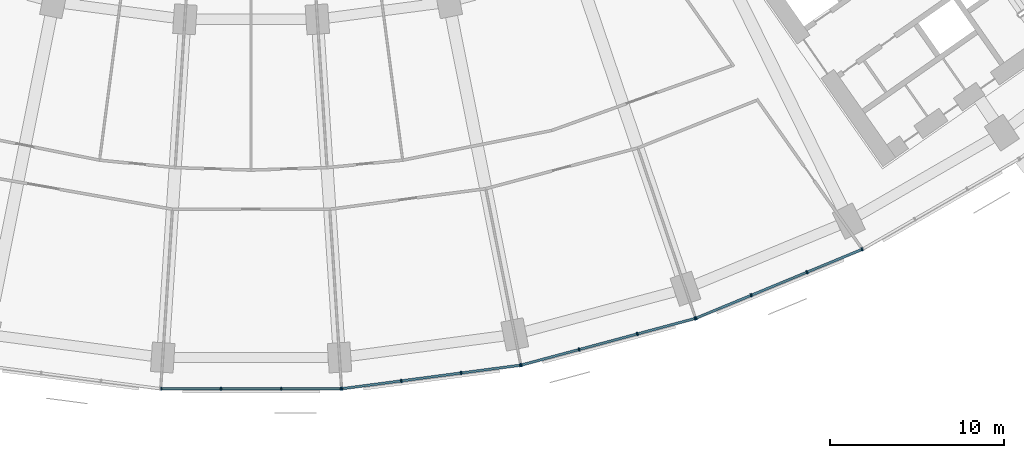
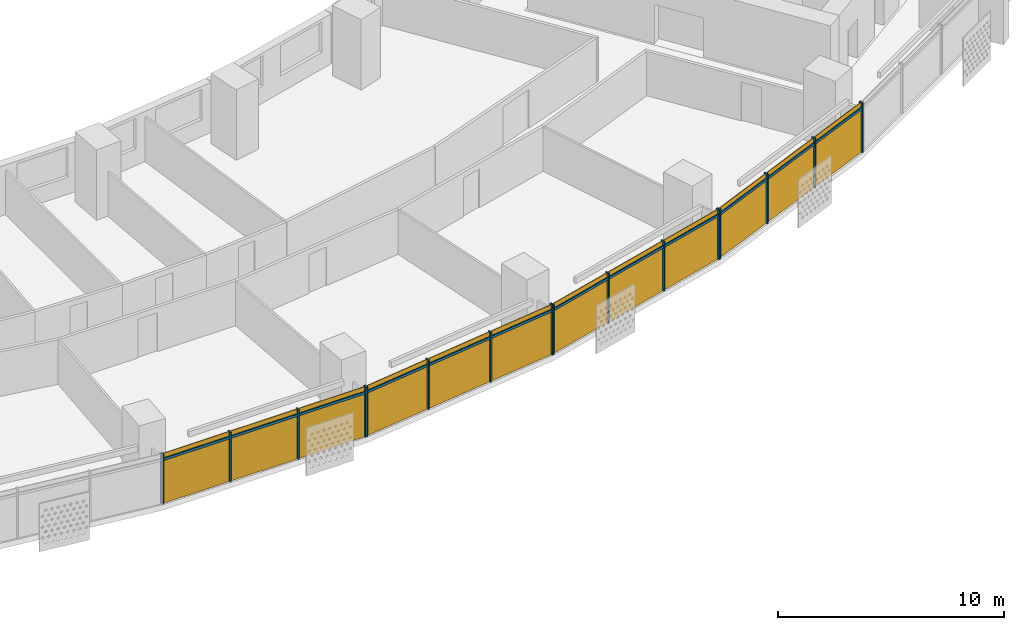
# One storey, part 22 of 31: 28 members, 4 curtain walls.
"""IFC4 building model written with IfcOpenShell, lengths in metres."""

from ifc_helpers import new_model, si_unit, direction, frame, origin, origin_2d, place, context, subcontext, project, spatial, rectangle, extrude, material, material_profile, profile_set, type_object, element, aggregate, save


model = new_model("IFC4")

# Units and contexts
model_context = context("Model", 3, precision=1e-05, world=origin(), true_north=direction((0.0, 1.0)))
body_context = subcontext(model_context, "Body", "Model", "MODEL_VIEW")
ifc_project = project(units=[si_unit("LENGTHUNIT", "METRE"), si_unit("AREAUNIT", "SQUARE_METRE"), si_unit("VOLUMEUNIT", "CUBIC_METRE"), si_unit("PLANEANGLEUNIT", "RADIAN"), si_unit("MASSUNIT", "GRAM", prefix="KILO")], contexts=[model_context])

# Member
ifc_material = material(Name="Aluminium 6063-T6 anodised", Category="aluminium")
ifc_material_profile_1 = material_profile(ifc_material, rectangle(XDim=0.199951171875, YDim=0.070068359375, at=origin_2d()))
ifc_profile_set_1 = profile_set([ifc_material_profile_1], Name="Aluminium 6063-T6 anodised")
member_type_1 = type_object("IfcMemberType", Name="Mullion 70 x 200 aluminium", PredefinedType="MULLION", material=ifc_profile_set_1)
site_placement = place(None, origin())
building_placement = place(site_placement, origin())
storey_placement = place(building_placement, frame((0.0, 0.0, 59.5)))
member_1_placement = place(storey_placement, frame((-5.17431640625, -79.37939453125, 0.0), z_axis=(0.0, 0.0, 1.0), x_axis=(0.0, 1.0, 0.0)))
member_1 = element("IfcMember", 1, at=member_1_placement, type_object=member_type_1, Name="e-cw1-L11-out08/M00", PredefinedType="MULLION", context=body_context, shape_type="SweptSolid", body=[
    extrude(rectangle(XDim=0.199951171875, YDim=0.070068359375, at=origin_2d()), origin(), (0.0, 0.0, 1.0), 2.699951171875),
])

member_2_placement = place(storey_placement, frame((-1.736572265625, -79.37939453125, 0.0), z_axis=(0.0, 0.0, 1.0), x_axis=(0.0, 1.0, 0.0)))
member_2 = element("IfcMember", 2, at=member_2_placement, type_object=member_type_1, Name="e-cw1-L11-out08/M01", PredefinedType="MULLION", context=body_context, shape_type="SweptSolid", body=[
    extrude(rectangle(XDim=0.199951171875, YDim=0.070068359375, at=origin_2d()), origin(), (0.0, 0.0, 1.0), 2.699951171875),
])

member_3_placement = place(storey_placement, frame((1.736572265625, -79.37939453125, 0.0), z_axis=(0.0, 0.0, 1.0), x_axis=(0.0, 1.0, 0.0)))
member_3 = element("IfcMember", 3, at=member_3_placement, type_object=member_type_1, Name="e-cw1-L11-out08/M02", PredefinedType="MULLION", context=body_context, shape_type="SweptSolid", body=[
    extrude(rectangle(XDim=0.199951171875, YDim=0.070068359375, at=origin_2d()), origin(), (0.0, 0.0, 1.0), 2.699951171875),
])

member_4_placement = place(storey_placement, frame((5.17431640625, -79.37939453125, 0.0), z_axis=(0.0, 0.0, 1.0), x_axis=(0.0, 1.0, 0.0)))
member_4 = element("IfcMember", 4, at=member_4_placement, type_object=member_type_1, Name="e-cw1-L11-out08/M03", PredefinedType="MULLION", context=body_context, shape_type="SweptSolid", body=[
    extrude(rectangle(XDim=0.199951171875, YDim=0.070068359375, at=origin_2d()), origin(), (0.0, 0.0, 1.0), 2.699951171875),
])

member_5_placement = place(storey_placement, frame((5.23095703125, -79.375732421875, 0.0), z_axis=(0.0, 0.0, 1.0), x_axis=(-0.13052619222, 0.991444861374, 0.0)))
member_5 = element("IfcMember", 5, at=member_5_placement, type_object=member_type_1, Name="e-cw1-L11-out09/M00", PredefinedType="MULLION", context=body_context, shape_type="SweptSolid", body=[
    extrude(rectangle(XDim=0.199951171875, YDim=0.070068359375, at=origin_2d()), origin(), (0.0, 0.0, 1.0), 2.699951171875),
])

member_6_placement = place(storey_placement, frame((8.639404296875, -78.927001953125, 0.0), z_axis=(0.0, 0.0, 1.0), x_axis=(-0.13052619222, 0.991444861374, 0.0)))
member_6 = element("IfcMember", 6, at=member_6_placement, type_object=member_type_1, Name="e-cw1-L11-out09/M01", PredefinedType="MULLION", context=body_context, shape_type="SweptSolid", body=[
    extrude(rectangle(XDim=0.199951171875, YDim=0.070068359375, at=origin_2d()), origin(), (0.0, 0.0, 1.0), 2.699951171875),
])

member_7_placement = place(storey_placement, frame((12.082763671875, -78.4736328125, 0.0), z_axis=(0.0, 0.0, 1.0), x_axis=(-0.13052619222, 0.991444861374, 0.0)))
member_7 = element("IfcMember", 7, at=member_7_placement, type_object=member_type_1, Name="e-cw1-L11-out09/M02", PredefinedType="MULLION", context=body_context, shape_type="SweptSolid", body=[
    extrude(rectangle(XDim=0.199951171875, YDim=0.070068359375, at=origin_2d()), origin(), (0.0, 0.0, 1.0), 2.699951171875),
])

member_8_placement = place(storey_placement, frame((15.4912109375, -78.02490234375, 0.0), z_axis=(0.0, 0.0, 1.0), x_axis=(-0.13052619222, 0.991444861374, 0.0)))
member_8 = element("IfcMember", 8, at=member_8_placement, type_object=member_type_1, Name="e-cw1-L11-out09/M03", PredefinedType="MULLION", context=body_context, shape_type="SweptSolid", body=[
    extrude(rectangle(XDim=0.199951171875, YDim=0.070068359375, at=origin_2d()), origin(), (0.0, 0.0, 1.0), 2.699951171875),
])

member_9_placement = place(storey_placement, frame((15.546875, -78.013916015625, 0.0), z_axis=(0.0, 0.0, 1.0), x_axis=(-0.258819045103, 0.965925826289, 0.0)))
member_9 = element("IfcMember", 9, at=member_9_placement, type_object=member_type_1, Name="e-cw1-L11-out10/M00", PredefinedType="MULLION", context=body_context, shape_type="SweptSolid", body=[
    extrude(rectangle(XDim=0.199951171875, YDim=0.070068359375, at=origin_2d()), origin(), (0.0, 0.0, 1.0), 2.699951171875),
])

member_10_placement = place(storey_placement, frame((18.86767578125, -77.1240234375, 0.0), z_axis=(0.0, 0.0, 1.0), x_axis=(-0.258819045103, 0.965925826289, 0.0)))
member_10 = element("IfcMember", 10, at=member_10_placement, type_object=member_type_1, Name="e-cw1-L11-out10/M01", PredefinedType="MULLION", context=body_context, shape_type="SweptSolid", body=[
    extrude(rectangle(XDim=0.199951171875, YDim=0.070068359375, at=origin_2d()), origin(), (0.0, 0.0, 1.0), 2.699951171875),
])

member_11_placement = place(storey_placement, frame((22.22216796875, -76.225341796875, 0.0), z_axis=(0.0, 0.0, 1.0), x_axis=(-0.258819045103, 0.965925826289, 0.0)))
member_11 = element("IfcMember", 11, at=member_11_placement, type_object=member_type_1, Name="e-cw1-L11-out10/M02", PredefinedType="MULLION", context=body_context, shape_type="SweptSolid", body=[
    extrude(rectangle(XDim=0.199951171875, YDim=0.070068359375, at=origin_2d()), origin(), (0.0, 0.0, 1.0), 2.699951171875),
])

member_12_placement = place(storey_placement, frame((25.54296875, -75.33544921875, 0.0), z_axis=(0.0, 0.0, 1.0), x_axis=(-0.258819045103, 0.965925826289, 0.0)))
member_12 = element("IfcMember", 12, at=member_12_placement, type_object=member_type_1, Name="e-cw1-L11-out10/M03", PredefinedType="MULLION", context=body_context, shape_type="SweptSolid", body=[
    extrude(rectangle(XDim=0.199951171875, YDim=0.070068359375, at=origin_2d()), origin(), (0.0, 0.0, 1.0), 2.699951171875),
])

member_13_placement = place(storey_placement, frame((25.5966796875, -75.317138671875, 0.0), z_axis=(0.0, 0.0, 1.0), x_axis=(-0.382683432365, 0.923879532511, 0.0)))
member_13 = element("IfcMember", 13, at=member_13_placement, type_object=member_type_1, Name="e-cw1-L11-out11/M00", PredefinedType="MULLION", context=body_context, shape_type="SweptSolid", body=[
    extrude(rectangle(XDim=0.199951171875, YDim=0.070068359375, at=origin_2d()), origin(), (0.0, 0.0, 1.0), 2.699951171875),
])

member_14_placement = place(storey_placement, frame((28.77294921875, -74.00146484375, 0.0), z_axis=(0.0, 0.0, 1.0), x_axis=(-0.382683432365, 0.923879532511, 0.0)))
member_14 = element("IfcMember", 14, at=member_14_placement, type_object=member_type_1, Name="e-cw1-L11-out11/M01", PredefinedType="MULLION", context=body_context, shape_type="SweptSolid", body=[
    extrude(rectangle(XDim=0.199951171875, YDim=0.070068359375, at=origin_2d()), origin(), (0.0, 0.0, 1.0), 2.699951171875),
])

member_15_placement = place(storey_placement, frame((31.9814453125, -72.672607421875, 0.0), z_axis=(0.0, 0.0, 1.0), x_axis=(-0.382683432365, 0.923879532511, 0.0)))
member_15 = element("IfcMember", 15, at=member_15_placement, type_object=member_type_1, Name="e-cw1-L11-out11/M02", PredefinedType="MULLION", context=body_context, shape_type="SweptSolid", body=[
    extrude(rectangle(XDim=0.199951171875, YDim=0.070068359375, at=origin_2d()), origin(), (0.0, 0.0, 1.0), 2.699951171875),
])

member_16_placement = place(storey_placement, frame((35.15771484375, -71.35693359375, 0.0), z_axis=(0.0, 0.0, 1.0), x_axis=(-0.382683432365, 0.923879532511, 0.0)))
member_16 = element("IfcMember", 16, at=member_16_placement, type_object=member_type_1, Name="e-cw1-L11-out11/M03", PredefinedType="MULLION", context=body_context, shape_type="SweptSolid", body=[
    extrude(rectangle(XDim=0.199951171875, YDim=0.070068359375, at=origin_2d()), origin(), (0.0, 0.0, 1.0), 2.699951171875),
])

ifc_material_profile_2 = material_profile(ifc_material, rectangle(XDim=0.139892578125, YDim=0.1201171875, at=origin_2d()))
ifc_profile_set_2 = profile_set([ifc_material_profile_2], Name="Aluminium 6063-T6 anodised")
member_type_2 = type_object("IfcMemberType", Name="Transom 120 x 140 aluminium", PredefinedType="USERDEFINED", material=ifc_profile_set_2)
member_17_placement = place(storey_placement, frame((-5.139404296875, -79.37939453125, 2.39990234375), z_axis=(1.0, 0.0, 0.0), x_axis=(0.0, 1.0, 0.0)))
member_17 = element("IfcMember", 17, at=member_17_placement, type_object=member_type_2, Name="e-cw1-L11-out08/T00", ObjectType="TRANSOM", PredefinedType="USERDEFINED", context=body_context, shape_type="SweptSolid", body=[
    extrude(rectangle(XDim=0.139892578125, YDim=0.1201171875, at=origin_2d()), origin(), (0.0, 0.0, 1.0), 3.367919921875),
])

member_18_placement = place(storey_placement, frame((-1.701416015625, -79.37939453125, 2.39990234375), z_axis=(1.0, 0.0, 0.0), x_axis=(0.0, 1.0, 0.0)))
member_18 = element("IfcMember", 18, at=member_18_placement, type_object=member_type_2, Name="e-cw1-L11-out08/T01", ObjectType="TRANSOM", PredefinedType="USERDEFINED", context=body_context, shape_type="SweptSolid", body=[
    extrude(rectangle(XDim=0.139892578125, YDim=0.1201171875, at=origin_2d()), origin(), (0.0, 0.0, 1.0), 3.40283203125),
])

member_19_placement = place(storey_placement, frame((1.771484375, -79.37939453125, 2.39990234375), z_axis=(1.0, 0.0, 0.0), x_axis=(0.0, 1.0, 0.0)))
member_19 = element("IfcMember", 19, at=member_19_placement, type_object=member_type_2, Name="e-cw1-L11-out08/T02", ObjectType="TRANSOM", PredefinedType="USERDEFINED", context=body_context, shape_type="SweptSolid", body=[
    extrude(rectangle(XDim=0.139892578125, YDim=0.1201171875, at=origin_2d()), origin(), (0.0, 0.0, 1.0), 3.367919921875),
])

member_20_placement = place(storey_placement, frame((5.265625, -79.37109375, 2.39990234375), z_axis=(0.991450594138, 0.130482640159, 0.0), x_axis=(-0.130482640159, 0.991450594138, 0.0)))
member_20 = element("IfcMember", 20, at=member_20_placement, type_object=member_type_2, Name="e-cw1-L11-out09/T00", ObjectType="TRANSOM", PredefinedType="USERDEFINED", context=body_context, shape_type="SweptSolid", body=[
    extrude(rectangle(XDim=0.139892578125, YDim=0.1201171875, at=origin_2d()), origin(), (0.0, 0.0, 1.0), 3.367919921875),
])

member_21_placement = place(storey_placement, frame((8.67431640625, -78.92236328125, 2.39990234375), z_axis=(0.991447700941, 0.130504621753, 0.0), x_axis=(-0.130504621753, 0.991447700941, 0.0)))
member_21 = element("IfcMember", 21, at=member_21_placement, type_object=member_type_2, Name="e-cw1-L11-out09/T01", ObjectType="TRANSOM", PredefinedType="USERDEFINED", context=body_context, shape_type="SweptSolid", body=[
    extrude(rectangle(XDim=0.139892578125, YDim=0.1201171875, at=origin_2d()), origin(), (0.0, 0.0, 1.0), 3.40283203125),
])

member_22_placement = place(storey_placement, frame((12.117431640625, -78.46923828125, 2.39990234375), z_axis=(0.9914412138, 0.130553895303, 0.0), x_axis=(-0.130553895303, 0.9914412138, 0.0)))
member_22 = element("IfcMember", 22, at=member_22_placement, type_object=member_type_2, Name="e-cw1-L11-out09/T02", ObjectType="TRANSOM", PredefinedType="USERDEFINED", context=body_context, shape_type="SweptSolid", body=[
    extrude(rectangle(XDim=0.139892578125, YDim=0.1201171875, at=origin_2d()), origin(), (0.0, 0.0, 1.0), 3.367919921875),
])

member_23_placement = place(storey_placement, frame((15.58056640625, -78.0048828125, 2.39990234375), z_axis=(0.965915368772, 0.258858069935, 0.0), x_axis=(-0.258858069935, 0.965915368772, 0.0)))
member_23 = element("IfcMember", 23, at=member_23_placement, type_object=member_type_2, Name="e-cw1-L11-out10/T00", ObjectType="TRANSOM", PredefinedType="USERDEFINED", context=body_context, shape_type="SweptSolid", body=[
    extrude(rectangle(XDim=0.139892578125, YDim=0.1201171875, at=origin_2d()), origin(), (0.0, 0.0, 1.0), 3.367919921875),
])

member_24_placement = place(storey_placement, frame((18.9013671875, -77.114990234375, 2.39990234375), z_axis=(0.965937804901, 0.258774336176, 0.0), x_axis=(-0.258774336176, 0.965937804901, 0.0)))
member_24 = element("IfcMember", 24, at=member_24_placement, type_object=member_type_2, Name="e-cw1-L11-out10/T01", ObjectType="TRANSOM", PredefinedType="USERDEFINED", context=body_context, shape_type="SweptSolid", body=[
    extrude(rectangle(XDim=0.139892578125, YDim=0.1201171875, at=origin_2d()), origin(), (0.0, 0.0, 1.0), 3.403076171875),
])

member_25_placement = place(storey_placement, frame((22.256103515625, -76.21630859375, 2.39990234375), z_axis=(0.965915368772, 0.258858069935, 0.0), x_axis=(-0.258858069935, 0.965915368772, 0.0)))
member_25 = element("IfcMember", 25, at=member_25_placement, type_object=member_type_2, Name="e-cw1-L11-out10/T02", ObjectType="TRANSOM", PredefinedType="USERDEFINED", context=body_context, shape_type="SweptSolid", body=[
    extrude(rectangle(XDim=0.139892578125, YDim=0.1201171875, at=origin_2d()), origin(), (0.0, 0.0, 1.0), 3.367919921875),
])

member_26_placement = place(storey_placement, frame((25.629150390625, -75.3037109375, 2.39990234375), z_axis=(0.923872807855, 0.382699666719, 0.0), x_axis=(-0.382699666719, 0.923872807855, 0.0)))
member_26 = element("IfcMember", 26, at=member_26_placement, type_object=member_type_2, Name="e-cw1-L11-out11/T00", ObjectType="TRANSOM", PredefinedType="USERDEFINED", context=body_context, shape_type="SweptSolid", body=[
    extrude(rectangle(XDim=0.139892578125, YDim=0.1201171875, at=origin_2d()), origin(), (0.0, 0.0, 1.0), 3.36767578125),
])

member_27_placement = place(storey_placement, frame((28.80517578125, -73.98828125, 2.39990234375), z_axis=(0.92388567708, 0.382668597728, 0.0), x_axis=(-0.382668597728, 0.92388567708, 0.0)))
member_27 = element("IfcMember", 27, at=member_27_placement, type_object=member_type_2, Name="e-cw1-L11-out11/T01", ObjectType="TRANSOM", PredefinedType="USERDEFINED", context=body_context, shape_type="SweptSolid", body=[
    extrude(rectangle(XDim=0.139892578125, YDim=0.1201171875, at=origin_2d()), origin(), (0.0, 0.0, 1.0), 3.403076171875),
])

member_28_placement = place(storey_placement, frame((32.013916015625, -72.6591796875, 2.39990234375), z_axis=(0.923872807855, 0.382699666719, 0.0), x_axis=(-0.382699666719, 0.923872807855, 0.0)))
member_28 = element("IfcMember", 28, at=member_28_placement, type_object=member_type_2, Name="e-cw1-L11-out11/T02", ObjectType="TRANSOM", PredefinedType="USERDEFINED", context=body_context, shape_type="SweptSolid", body=[
    extrude(rectangle(XDim=0.139892578125, YDim=0.1201171875, at=origin_2d()), origin(), (0.0, 0.0, 1.0), 3.36767578125),
])

# Site, building, storey
site = spatial("IfcSite", under=ifc_project, at=site_placement, CompositionType="ELEMENT")
building = spatial("IfcBuilding", under=site, at=building_placement, Name="Qamariyya Broadcast Tower", CompositionType="ELEMENT")
storey = spatial("IfcBuildingStorey", under=building, at=storey_placement, Name="L11", CompositionType="ELEMENT", Elevation=59.5)

# Curtain wall
curtain_wall_type = type_object("IfcCurtainWallType", Name="Unitised curtain wall, anodised aluminium", PredefinedType="NOTDEFINED", material=ifc_material)
curtain_wall_1_placement = place(storey_placement, origin())
curtain_wall_1 = element("IfcCurtainWall", 29, at=curtain_wall_1_placement, inside=storey, type_object=curtain_wall_type, Name="e-cw1-L11-out08", PredefinedType="NOTDEFINED", context=body_context, shape_type="SweptSolid", body=[
    extrude(rectangle(XDim=3.367919921875, YDim=0.031982421875, at=origin_2d()), frame((-3.45556640625, -79.37939453125, 0.0), x_axis=(1.0, 0.0, 0.0)), (0.0, 0.0, 1.0), 2.340087890625),
    extrude(rectangle(XDim=3.367919921875, YDim=0.031982421875, at=origin_2d()), frame((-3.45556640625, -79.37939453125, 2.4599609375), x_axis=(1.0, 0.0, 0.0)), (0.0, 0.0, 1.0), 0.239990234375),
    extrude(rectangle(XDim=3.403076171875, YDim=0.031982421875, at=origin_2d()), frame((0.0, -79.37939453125, 0.0), x_axis=(1.0, 0.0, 0.0)), (0.0, 0.0, 1.0), 2.340087890625),
    extrude(rectangle(XDim=3.403076171875, YDim=0.031982421875, at=origin_2d()), frame((0.0, -79.37939453125, 2.4599609375), x_axis=(1.0, 0.0, 0.0)), (0.0, 0.0, 1.0), 0.239990234375),
    extrude(rectangle(XDim=3.367919921875, YDim=0.031982421875, at=origin_2d()), frame((3.45556640625, -79.37939453125, 0.0), x_axis=(1.0, 0.0, 0.0)), (0.0, 0.0, 1.0), 2.340087890625),
    extrude(rectangle(XDim=3.367919921875, YDim=0.031982421875, at=origin_2d()), frame((3.45556640625, -79.37939453125, 2.4599609375), x_axis=(1.0, 0.0, 0.0)), (0.0, 0.0, 1.0), 0.239990234375),
])

aggregate(curtain_wall_1, [member_1, member_2, member_3, member_4, member_17, member_18, member_19])

curtain_wall_2_placement = place(storey_placement, origin())
curtain_wall_2 = element("IfcCurtainWall", 30, at=curtain_wall_2_placement, inside=storey, type_object=curtain_wall_type, Name="e-cw1-L11-out09", PredefinedType="NOTDEFINED", context=body_context, shape_type="SweptSolid", body=[
    extrude(rectangle(XDim=3.367919921875, YDim=0.031982421875, at=origin_2d()), frame((6.935302734375, -79.1513671875, 0.0), x_axis=(0.991445519925, 0.130521189931, 0.0)), (0.0, 0.0, 1.0), 2.340087890625),
    extrude(rectangle(XDim=3.367919921875, YDim=0.031982421875, at=origin_2d()), frame((6.935302734375, -79.1513671875, 2.4599609375), x_axis=(0.991445519925, 0.130521189931, 0.0)), (0.0, 0.0, 1.0), 0.239990234375),
    extrude(rectangle(XDim=3.40283203125, YDim=0.031982421875, at=origin_2d()), frame((10.361083984375, -78.700439453125, 0.0), x_axis=(0.991445519925, 0.130521189931, 0.0)), (0.0, 0.0, 1.0), 2.340087890625),
    extrude(rectangle(XDim=3.40283203125, YDim=0.031982421875, at=origin_2d()), frame((10.361083984375, -78.700439453125, 2.4599609375), x_axis=(0.991445519925, 0.130521189931, 0.0)), (0.0, 0.0, 1.0), 0.239990234375),
    extrude(rectangle(XDim=3.367919921875, YDim=0.031982421875, at=origin_2d()), frame((13.786865234375, -78.24951171875, 0.0), x_axis=(0.991445519925, 0.130521189931, 0.0)), (0.0, 0.0, 1.0), 2.340087890625),
    extrude(rectangle(XDim=3.367919921875, YDim=0.031982421875, at=origin_2d()), frame((13.786865234375, -78.24951171875, 2.4599609375), x_axis=(0.991445519925, 0.130521189931, 0.0)), (0.0, 0.0, 1.0), 0.239990234375),
])

aggregate(curtain_wall_2, [member_5, member_6, member_7, member_8, member_20, member_21, member_22])

curtain_wall_3_placement = place(storey_placement, origin())
curtain_wall_3 = element("IfcCurtainWall", 31, at=curtain_wall_3_placement, inside=storey, type_object=curtain_wall_type, Name="e-cw1-L11-out10", PredefinedType="NOTDEFINED", context=body_context, shape_type="SweptSolid", body=[
    extrude(rectangle(XDim=3.367919921875, YDim=0.031982421875, at=origin_2d()), frame((17.207275390625, -77.569091796875, 0.0), x_axis=(0.965925039578, 0.258821981129, 0.0)), (0.0, 0.0, 1.0), 2.340087890625),
    extrude(rectangle(XDim=3.367919921875, YDim=0.031982421875, at=origin_2d()), frame((17.207275390625, -77.569091796875, 2.4599609375), x_axis=(0.965925039578, 0.258821981129, 0.0)), (0.0, 0.0, 1.0), 0.239990234375),
    extrude(rectangle(XDim=3.40283203125, YDim=0.031982421875, at=origin_2d()), frame((20.544921875, -76.6748046875, 0.0), x_axis=(0.965925039578, 0.258821981129, 0.0)), (0.0, 0.0, 1.0), 2.340087890625),
    extrude(rectangle(XDim=3.40283203125, YDim=0.031982421875, at=origin_2d()), frame((20.544921875, -76.6748046875, 2.4599609375), x_axis=(0.965925039578, 0.258821981129, 0.0)), (0.0, 0.0, 1.0), 0.239990234375),
    extrude(rectangle(XDim=3.367919921875, YDim=0.031982421875, at=origin_2d()), frame((23.882568359375, -75.7802734375, 0.0), x_axis=(0.965925039578, 0.258821981129, 0.0)), (0.0, 0.0, 1.0), 2.340087890625),
    extrude(rectangle(XDim=3.367919921875, YDim=0.031982421875, at=origin_2d()), frame((23.882568359375, -75.7802734375, 2.4599609375), x_axis=(0.965925039578, 0.258821981129, 0.0)), (0.0, 0.0, 1.0), 0.239990234375),
])

aggregate(curtain_wall_3, [member_9, member_10, member_11, member_12, member_23, member_24, member_25])

curtain_wall_4_placement = place(storey_placement, origin())
curtain_wall_4 = element("IfcCurtainWall", 32, at=curtain_wall_4_placement, inside=storey, type_object=curtain_wall_type, Name="e-cw1-L11-out11", PredefinedType="NOTDEFINED", context=body_context, shape_type="SweptSolid", body=[
    extrude(rectangle(XDim=3.367919921875, YDim=0.031982421875, at=origin_2d()), frame((27.184814453125, -74.659423828125, 0.0), x_axis=(0.92387774222, 0.382687754482, 0.0)), (0.0, 0.0, 1.0), 2.340087890625),
    extrude(rectangle(XDim=3.367919921875, YDim=0.031982421875, at=origin_2d()), frame((27.184814453125, -74.659423828125, 2.4599609375), x_axis=(0.92387774222, 0.382687754482, 0.0)), (0.0, 0.0, 1.0), 0.239990234375),
    extrude(rectangle(XDim=3.40283203125, YDim=0.031982421875, at=origin_2d()), frame((30.377197265625, -73.3369140625, 0.0), x_axis=(0.92387774222, 0.382687754482, 0.0)), (0.0, 0.0, 1.0), 2.340087890625),
    extrude(rectangle(XDim=3.40283203125, YDim=0.031982421875, at=origin_2d()), frame((30.377197265625, -73.3369140625, 2.4599609375), x_axis=(0.92387774222, 0.382687754482, 0.0)), (0.0, 0.0, 1.0), 0.239990234375),
    extrude(rectangle(XDim=3.367919921875, YDim=0.031982421875, at=origin_2d()), frame((33.569580078125, -72.0146484375, 0.0), x_axis=(0.92387774222, 0.382687754482, 0.0)), (0.0, 0.0, 1.0), 2.340087890625),
    extrude(rectangle(XDim=3.367919921875, YDim=0.031982421875, at=origin_2d()), frame((33.569580078125, -72.0146484375, 2.4599609375), x_axis=(0.92387774222, 0.382687754482, 0.0)), (0.0, 0.0, 1.0), 0.239990234375),
])

aggregate(curtain_wall_4, [member_13, member_14, member_15, member_16, member_26, member_27, member_28])

save(model, "model.ifc")
